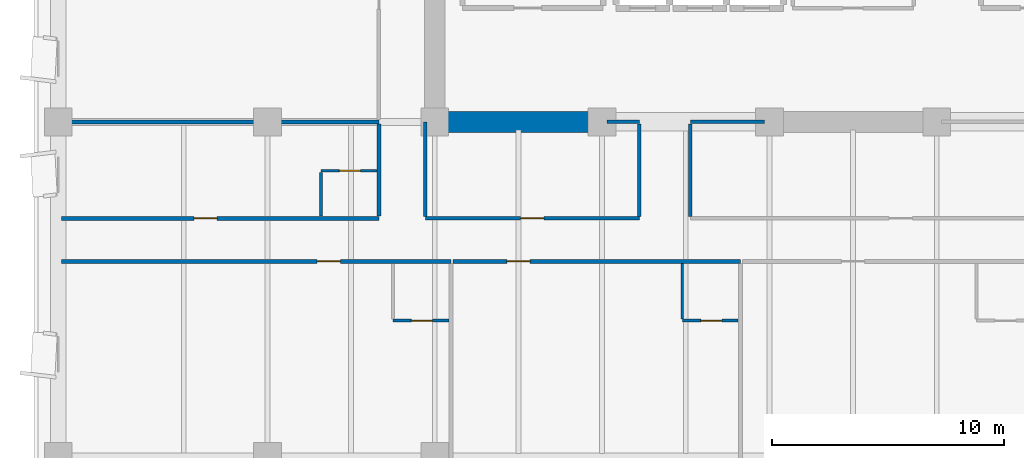
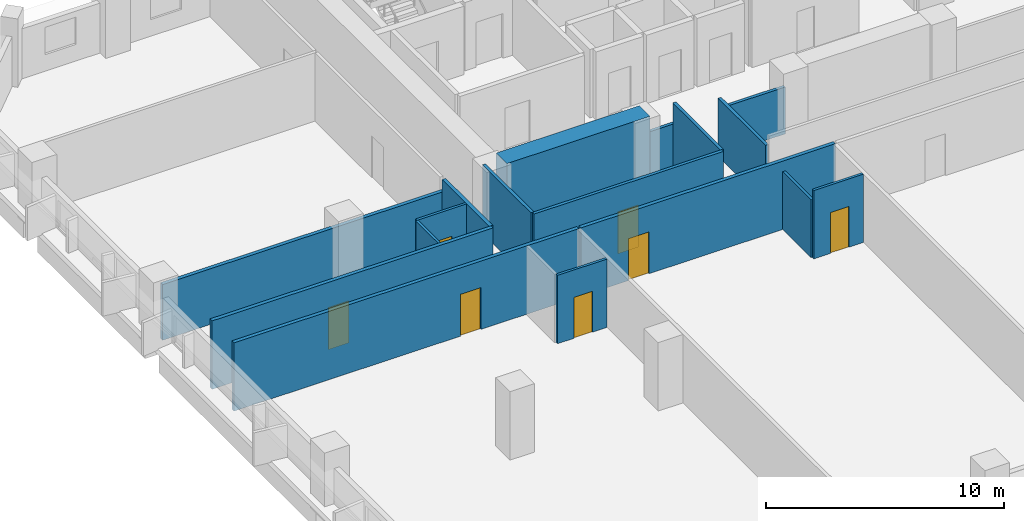
# One storey, part 4 of 15: 17 walls, 7 doors, 7 openings.
"""IFC4 building model written with IfcOpenShell, lengths in metres."""

from ifc_helpers import new_model, si_unit, direction, frame, frame_2d, origin, place, context, subcontext, project, spatial, rectangle, extrude, material, layer, layer_set, type_object, element, fill, save


model = new_model("IFC4")

# Units and contexts
model_context = context("Model", 3, precision=1e-05, world=origin(), true_north=direction((0.0, 1.0)))
body_context = subcontext(model_context, "Body", "Model", "MODEL_VIEW")
ifc_project = project(units=[si_unit("LENGTHUNIT", "METRE"), si_unit("AREAUNIT", "SQUARE_METRE"), si_unit("VOLUMEUNIT", "CUBIC_METRE"), si_unit("PLANEANGLEUNIT", "RADIAN"), si_unit("MASSUNIT", "GRAM", prefix="KILO")], contexts=[model_context])

# Site, building, storey
site_placement = place(None, origin())
site = spatial("IfcSite", under=ifc_project, at=site_placement, CompositionType="ELEMENT")
building_placement = place(site_placement, origin())
building = spatial("IfcBuilding", under=site, at=building_placement, Name="Kaelvorn Grand Hotel", CompositionType="ELEMENT")
storey_placement = place(building_placement, frame((0.0, 0.0, 108.050048828125)))
storey = spatial("IfcBuildingStorey", under=building, at=storey_placement, Name="L25", CompositionType="ELEMENT", Elevation=108.050048828125)

# Wall
ifc_material_1 = material(Name="Concrete C60/75", Category="concrete")
ifc_layer_1 = layer(ifc_material_1, 0.89990234375)
ifc_layer_set_1 = layer_set([ifc_layer_1], Name="Concrete C60/75")
wall_type_1 = type_object("IfcWallType", Name="WL-CORE-900-C60", PredefinedType="SHEAR", material=ifc_layer_set_1)
wall_1_placement = place(storey_placement, frame((16.655029296875, 29.39990234375, 0.0), z_axis=(0.0, 0.0, 1.0), x_axis=(1.0, 0.0, 0.0)))
element("IfcWall", 1, at=wall_1_placement, inside=storey, type_object=wall_type_1, Name="L25 Rear-Core Coupled Shear Pier S1", PredefinedType="SHEAR", context=body_context, shape_type="SweptSolid", body=[
    extrude(rectangle(XDim=6.945068359375, YDim=0.89990234375, at=frame_2d((3.47265625, 0.0))), origin(), (0.0, 0.0, 1.0), 3.510009765625),
])

# Wall, opening, door
ifc_material_2 = material(Name="Moisture-Resistant Tile & Stud Board")
ifc_layer_2 = layer(ifc_material_2, 0.125)
ifc_layer_set_2 = layer_set([ifc_layer_2], Name="Moisture-Resistant Tile & Stud Board")
wall_type_2 = type_object("IfcWallType", Name="WL-PART-125-WET", PredefinedType="PARTITIONING", material=ifc_layer_set_2)
wall_2_placement = place(storey_placement, frame((14.399658203125, 20.85009765625, 0.0), z_axis=(0.0, 0.0, 1.0), x_axis=(1.0, 0.0, 0.0)))
wall_2 = element("IfcWall", 2, at=wall_2_placement, inside=storey, type_object=wall_type_2, Name="L25 En-suite Bathroom L25-01 S Partition", PredefinedType="PARTITIONING", context=body_context, shape_type="SweptSolid", body=[
    extrude(rectangle(XDim=2.405029296875, YDim=0.125, at=frame_2d((1.20263671875, 0.0))), origin(), (0.0, 0.0, 1.0), 3.510009765625),
])
opening_1_placement = place(wall_2_placement, frame((0.800048828125, 0.0, 0.0)))
opening_1 = element("IfcOpeningElement", 3, at=opening_1_placement, cuts=wall_2, Name="Opening DI4", PredefinedType="OPENING", context=body_context, shape_type="SweptSolid", body=[
    extrude(rectangle(XDim=0.89990234375, YDim=2.10009765625, at=frame_2d((0.449951171875, 1.050048828125))), frame((0.0, 0.072509765625, 0.0), z_axis=(0.0, -1.0, 0.0), x_axis=(1.0, 0.0, 0.0)), (0.0, 0.0, 1.0), 0.14501953125),
])
ifc_material_3 = material(Name="Timber Veneer Leaf", Category="wood")
door_type_1 = type_object("IfcDoorType", Name="DR-INT-BATH-900x2100", OperationType="NOTDEFINED", PredefinedType="DOOR", material=ifc_material_3)
door_1_placement = place(opening_1_placement, origin())
door_1 = element("IfcDoor", 4, at=door_1_placement, inside=storey, type_object=door_type_1, Name="L25 En-suite Bathroom L25-01 Door", OperationType="SINGLE_SWING_LEFT", OverallHeight=2.10009765625, OverallWidth=0.89990234375, PredefinedType="DOOR", context=body_context, shape_type="SweptSolid", body=[
    extrude(rectangle(XDim=0.89990234375, YDim=2.10009765625, at=frame_2d((0.449951171875, 1.050048828125))), frame((0.0, 0.02490234375, 0.0), z_axis=(0.0, -1.0, 0.0), x_axis=(1.0, 0.0, 0.0)), (0.0, 0.0, 1.0), 0.050048828125),
])
fill(opening_1, door_1)

wall_3_placement = place(storey_placement, frame((26.849609375, 20.85009765625, 0.0), z_axis=(0.0, 0.0, 1.0), x_axis=(1.0, 0.0, 0.0)))
wall_3 = element("IfcWall", 5, at=wall_3_placement, inside=storey, type_object=wall_type_2, Name="L25 En-suite Bathroom L25-02 S Partition", PredefinedType="PARTITIONING", context=body_context, shape_type="SweptSolid", body=[
    extrude(rectangle(XDim=2.40478515625, YDim=0.125, at=frame_2d((1.202392578125, 0.0))), origin(), (0.0, 0.0, 1.0), 3.510009765625),
])
opening_2_placement = place(wall_3_placement, frame((0.800048828125, 0.0, 0.0)))
opening_2 = element("IfcOpeningElement", 6, at=opening_2_placement, cuts=wall_3, Name="Opening DI4", PredefinedType="OPENING", context=body_context, shape_type="SweptSolid", body=[
    extrude(rectangle(XDim=0.89990234375, YDim=2.10009765625, at=frame_2d((0.449951171875, 1.050048828125))), frame((0.0, 0.072509765625, 0.0), z_axis=(0.0, -1.0, 0.0), x_axis=(1.0, 0.0, 0.0)), (0.0, 0.0, 1.0), 0.14501953125),
])
door_2_placement = place(opening_2_placement, origin())
door_2 = element("IfcDoor", 7, at=door_2_placement, inside=storey, type_object=door_type_1, Name="L25 En-suite Bathroom L25-02 Door", OperationType="SINGLE_SWING_LEFT", OverallHeight=2.10009765625, OverallWidth=0.89990234375, PredefinedType="DOOR", context=body_context, shape_type="SweptSolid", body=[
    extrude(rectangle(XDim=0.89990234375, YDim=2.10009765625, at=frame_2d((0.449951171875, 1.050048828125))), frame((0.0, 0.02490234375, 0.0), z_axis=(0.0, -1.0, 0.0), x_axis=(1.0, 0.0, 0.0)), (0.0, 0.0, 1.0), 0.050048828125),
])
fill(opening_2, door_2)

# Wall
wall_4_placement = place(storey_placement, frame((26.849609375, 20.91748046875, 0.0), z_axis=(0.0, 0.0, 1.0), x_axis=(0.0, 1.0, 0.0)))
element("IfcWall", 8, at=wall_4_placement, inside=storey, type_object=wall_type_2, Name="L25 En-suite Bathroom L25-02 W Partition", PredefinedType="PARTITIONING", context=body_context, shape_type="SweptSolid", body=[
    extrude(rectangle(XDim=2.387451171875, YDim=0.125, at=frame_2d((1.19384765625, 0.0))), origin(), (0.0, 0.0, 1.0), 2.976806640625),
])

# Wall, opening, door
wall_5_placement = place(storey_placement, frame((11.300048828125, 27.300048828125, 0.0), z_axis=(0.0, 0.0, 1.0), x_axis=(1.0, 0.0, 0.0)))
wall_5 = element("IfcWall", 9, at=wall_5_placement, inside=storey, type_object=wall_type_2, Name="L25 En-suite Bathroom L25-07 N Partition", PredefinedType="PARTITIONING", context=body_context, shape_type="SweptSolid", body=[
    extrude(rectangle(XDim=2.405029296875, YDim=0.125, at=frame_2d((1.20263671875, 0.0))), origin(), (0.0, 0.0, 1.0), 3.510009765625),
])
opening_3_placement = place(wall_5_placement, frame((0.800048828125, 0.0, 0.0)))
opening_3 = element("IfcOpeningElement", 10, at=opening_3_placement, cuts=wall_5, Name="Opening DI4", PredefinedType="OPENING", context=body_context, shape_type="SweptSolid", body=[
    extrude(rectangle(XDim=0.89990234375, YDim=2.10009765625, at=frame_2d((0.449951171875, 1.050048828125))), frame((0.0, 0.072509765625, 0.0), z_axis=(0.0, -1.0, 0.0), x_axis=(1.0, 0.0, 0.0)), (0.0, 0.0, 1.0), 0.14501953125),
])
door_3_placement = place(opening_3_placement, origin())
door_3 = element("IfcDoor", 11, at=door_3_placement, inside=storey, type_object=door_type_1, Name="L25 En-suite Bathroom L25-07 Door", OperationType="SINGLE_SWING_LEFT", OverallHeight=2.10009765625, OverallWidth=0.89990234375, PredefinedType="DOOR", context=body_context, shape_type="SweptSolid", body=[
    extrude(rectangle(XDim=0.89990234375, YDim=2.10009765625, at=frame_2d((0.449951171875, 1.050048828125))), frame((0.0, 0.02490234375, 0.0), z_axis=(0.0, -1.0, 0.0), x_axis=(1.0, 0.0, 0.0)), (0.0, 0.0, 1.0), 0.050048828125),
])
fill(opening_3, door_3)

# Wall
wall_6_placement = place(storey_placement, frame((11.300048828125, 25.344970703125, 0.0), z_axis=(0.0, 0.0, 1.0), x_axis=(0.0, 1.0, 0.0)))
element("IfcWall", 12, at=wall_6_placement, inside=storey, type_object=wall_type_2, Name="L25 En-suite Bathroom L25-07 W Partition", PredefinedType="PARTITIONING", context=body_context, shape_type="SweptSolid", body=[
    extrude(rectangle(XDim=1.887451171875, YDim=0.125, at=frame_2d((0.94384765625, 0.0))), origin(), (0.0, 0.0, 1.0), 3.510009765625),
])

# Wall, opening, door
ifc_material_4 = material(Name="Acoustic Gypsum & Stud Partition")
ifc_layer_3 = layer(ifc_material_4, 0.14990234375)
ifc_layer_set_3 = layer_set([ifc_layer_3], Name="Acoustic Gypsum & Stud Partition")
wall_type_3 = type_object("IfcWallType", Name="WL-PART-150-EI60", PredefinedType="PARTITIONING", material=ifc_layer_set_3)
wall_7_placement = place(storey_placement, frame((15.800048828125, 25.25, 0.0), z_axis=(0.0, 0.0, 1.0), x_axis=(1.0, 0.0, 0.0)))
wall_7 = element("IfcWall", 13, at=wall_7_placement, inside=storey, type_object=wall_type_3, Name="L25 Botanical Conservatory Salon S Partition", PredefinedType="PARTITIONING", context=body_context, shape_type="SweptSolid", body=[
    extrude(rectangle(XDim=9.199951171875, YDim=0.14990234375, at=frame_2d((4.60009765625, 0.0))), origin(), (0.0, 0.0, 1.0), 3.510009765625),
])
opening_4_placement = place(wall_7_placement, frame((4.10009765625, 0.0, 0.0)))
opening_4 = element("IfcOpeningElement", 14, at=opening_4_placement, cuts=wall_7, Name="Opening DI3", PredefinedType="OPENING", context=body_context, shape_type="SweptSolid", body=[
    extrude(rectangle(XDim=1.0, YDim=2.14990234375, at=frame_2d((0.5, 1.074951171875))), frame((0.0, 0.0849609375, 0.0), z_axis=(0.0, -1.0, 0.0), x_axis=(1.0, 0.0, 0.0)), (0.0, 0.0, 1.0), 0.169921875),
])
ifc_material_5 = material(Name="Timber Veneer Fire Leaf", Category="wood")
door_type_2 = type_object("IfcDoorType", Name="DR-INT-GUEST-1000x2150", OperationType="NOTDEFINED", PredefinedType="DOOR", material=ifc_material_5)
door_4_placement = place(opening_4_placement, origin())
door_4 = element("IfcDoor", 15, at=door_4_placement, inside=storey, type_object=door_type_2, Name="L25 Botanical Conservatory Salon Door", OperationType="SINGLE_SWING_RIGHT", OverallHeight=2.14990234375, OverallWidth=1.0, PredefinedType="DOOR", context=body_context, shape_type="SweptSolid", body=[
    extrude(rectangle(XDim=1.0, YDim=2.14990234375, at=frame_2d((0.5, 1.074951171875))), frame((0.0, 0.02490234375, 0.0), z_axis=(0.0, -1.0, 0.0), x_axis=(1.0, 0.0, 0.0)), (0.0, 0.0, 1.0), 0.050048828125),
])
fill(opening_4, door_4)

# Walls
wall_8_placement = place(storey_placement, frame((23.610107421875, 29.39990234375, 0.0), z_axis=(0.0, 0.0, 1.0), x_axis=(1.0, 0.0, 0.0)))
element("IfcWall", 16, at=wall_8_placement, inside=storey, type_object=wall_type_3, Name="L25 Botanical Conservatory Salon N Partition", PredefinedType="PARTITIONING", context=body_context, shape_type="SweptSolid", body=[
    extrude(rectangle(XDim=1.389892578125, YDim=0.14990234375, at=frame_2d((0.69482421875, 0.0))), origin(), (0.0, 0.0, 1.0), 2.409912109375),
])
wall_9_placement = place(storey_placement, frame((15.800048828125, 25.330078125, 0.0), z_axis=(0.0, 0.0, 1.0), x_axis=(0.0, 1.0, 0.0)))
element("IfcWall", 17, at=wall_9_placement, inside=storey, type_object=wall_type_3, Name="L25 Botanical Conservatory Salon W Partition", PredefinedType="PARTITIONING", context=body_context, shape_type="SweptSolid", body=[
    extrude(rectangle(XDim=4.059814453125, YDim=0.14990234375, at=frame_2d((2.02978515625, 0.0))), origin(), (0.0, 0.0, 1.0), 3.510009765625),
])
wall_10_placement = place(storey_placement, frame((25.0, 25.330078125, 0.0), z_axis=(0.0, 0.0, 1.0), x_axis=(0.0, 1.0, 0.0)))
element("IfcWall", 18, at=wall_10_placement, inside=storey, type_object=wall_type_3, Name="L25 Botanical Conservatory Salon E Partition", PredefinedType="PARTITIONING", context=body_context, shape_type="SweptSolid", body=[
    extrude(rectangle(XDim=3.989990234375, YDim=0.14990234375, at=frame_2d((1.9951171875, 0.0))), origin(), (0.0, 0.0, 1.0), 3.510009765625),
])
wall_11_placement = place(storey_placement, frame((27.199951171875, 29.39990234375, 0.0), z_axis=(0.0, 0.0, 1.0), x_axis=(1.0, 0.0, 0.0)))
element("IfcWall", 19, at=wall_11_placement, inside=storey, type_object=wall_type_3, Name="L25 Catering Servery Kitchen N Partition (1)", PredefinedType="PARTITIONING", context=body_context, shape_type="SweptSolid", body=[
    extrude(rectangle(XDim=3.18994140625, YDim=0.14990234375, at=frame_2d((1.594970703125, 0.0))), origin(), (0.0, 0.0, 1.0), 2.409912109375),
])
wall_12_placement = place(storey_placement, frame((27.199951171875, 25.330078125, 0.0), z_axis=(0.0, 0.0, 1.0), x_axis=(0.0, 1.0, 0.0)))
element("IfcWall", 20, at=wall_12_placement, inside=storey, type_object=wall_type_3, Name="L25 Catering Servery Kitchen W Partition", PredefinedType="PARTITIONING", context=body_context, shape_type="SweptSolid", body=[
    extrude(rectangle(XDim=3.989990234375, YDim=0.14990234375, at=frame_2d((1.9951171875, 0.0))), origin(), (0.0, 0.0, 1.0), 2.976806640625),
])

# Wall, opening, door
ifc_layer_4 = layer(ifc_material_4, 0.179931640625)
ifc_layer_set_4 = layer_set([ifc_layer_4], Name="Acoustic Gypsum & Stud Partition")
wall_type_4 = type_object("IfcWallType", Name="WL-PART-180-EI60", PredefinedType="PARTITIONING", material=ifc_layer_set_4)
wall_13_placement = place(storey_placement, frame((0.14990234375, 23.39990234375, 0.0), z_axis=(0.0, 0.0, 1.0), x_axis=(1.0, 0.0, 0.0)))
wall_13 = element("IfcWall", 21, at=wall_13_placement, inside=storey, type_object=wall_type_4, Name="L25 Presidential Sky Suite L25-01 N Partition", PredefinedType="PARTITIONING", context=body_context, shape_type="SweptSolid", body=[
    extrude(rectangle(XDim=16.749755859375, YDim=0.179931640625, at=frame_2d((8.375, 0.0))), origin(), (0.0, 0.0, 1.0), 3.510009765625),
])
opening_5_placement = place(wall_13_placement, frame((10.98974609375, 0.0, 0.0)))
opening_5 = element("IfcOpeningElement", 22, at=opening_5_placement, cuts=wall_13, Name="Opening DI3", PredefinedType="OPENING", context=body_context, shape_type="SweptSolid", body=[
    extrude(rectangle(XDim=1.0, YDim=2.14990234375, at=frame_2d((0.5, 1.074951171875))), frame((0.0, 0.10009765625, 0.0), z_axis=(0.0, -1.0, 0.0), x_axis=(1.0, 0.0, 0.0)), (0.0, 0.0, 1.0), 0.199951171875),
])
door_5_placement = place(opening_5_placement, origin())
door_5 = element("IfcDoor", 23, at=door_5_placement, inside=storey, type_object=door_type_2, Name="L25 Presidential Sky Suite L25-01 Door", OperationType="SINGLE_SWING_RIGHT", OverallHeight=2.14990234375, OverallWidth=1.0, PredefinedType="DOOR", context=body_context, shape_type="SweptSolid", body=[
    extrude(rectangle(XDim=1.0, YDim=2.14990234375, at=frame_2d((0.5, 1.074951171875))), frame((0.0, 0.02490234375, 0.0), z_axis=(0.0, -1.0, 0.0), x_axis=(1.0, 0.0, 0.0)), (0.0, 0.0, 1.0), 0.050048828125),
])
fill(opening_5, door_5)

wall_14_placement = place(storey_placement, frame((16.99462890625, 23.39990234375, 0.0), z_axis=(0.0, 0.0, 1.0), x_axis=(1.0, 0.0, 0.0)))
wall_14 = element("IfcWall", 24, at=wall_14_placement, inside=storey, type_object=wall_type_4, Name="L25 Presidential Sky Suite L25-02 N Partition", PredefinedType="PARTITIONING", context=body_context, shape_type="SweptSolid", body=[
    extrude(rectangle(XDim=12.35498046875, YDim=0.179931640625, at=frame_2d((6.177490234375, 0.0))), origin(), (0.0, 0.0, 1.0), 3.510009765625),
])
opening_6_placement = place(wall_14_placement, frame((2.305419921875, 0.0, 0.0)))
opening_6 = element("IfcOpeningElement", 25, at=opening_6_placement, cuts=wall_14, Name="Opening DI3", PredefinedType="OPENING", context=body_context, shape_type="SweptSolid", body=[
    extrude(rectangle(XDim=1.0, YDim=2.14990234375, at=frame_2d((0.5, 1.074951171875))), frame((0.0, 0.10009765625, 0.0), z_axis=(0.0, -1.0, 0.0), x_axis=(1.0, 0.0, 0.0)), (0.0, 0.0, 1.0), 0.199951171875),
])
door_6_placement = place(opening_6_placement, origin())
door_6 = element("IfcDoor", 26, at=door_6_placement, inside=storey, type_object=door_type_2, Name="L25 Presidential Sky Suite L25-02 Door", OperationType="SINGLE_SWING_RIGHT", OverallHeight=2.14990234375, OverallWidth=1.0, PredefinedType="DOOR", context=body_context, shape_type="SweptSolid", body=[
    extrude(rectangle(XDim=1.0, YDim=2.14990234375, at=frame_2d((0.5, 1.074951171875))), frame((0.0, 0.02490234375, 0.0), z_axis=(0.0, -1.0, 0.0), x_axis=(1.0, 0.0, 0.0)), (0.0, 0.0, 1.0), 0.050048828125),
])
fill(opening_6, door_6)

wall_15_placement = place(storey_placement, frame((0.14990234375, 25.25, 0.0), z_axis=(0.0, 0.0, 1.0), x_axis=(1.0, 0.0, 0.0)))
wall_15 = element("IfcWall", 27, at=wall_15_placement, inside=storey, type_object=wall_type_4, Name="L25 West Chamfer Corner Suite L25-07 S Partition", PredefinedType="PARTITIONING", context=body_context, shape_type="SweptSolid", body=[
    extrude(rectangle(XDim=13.650146484375, YDim=0.179931640625, at=frame_2d((6.8251953125, 0.0))), origin(), (0.0, 0.0, 1.0), 3.510009765625),
])
opening_7_placement = place(wall_15_placement, frame((5.68505859375, 0.0, 0.0)))
opening_7 = element("IfcOpeningElement", 28, at=opening_7_placement, cuts=wall_15, Name="Opening DI3", PredefinedType="OPENING", context=body_context, shape_type="SweptSolid", body=[
    extrude(rectangle(XDim=1.0, YDim=2.14990234375, at=frame_2d((0.5, 1.074951171875))), frame((0.0, 0.10009765625, 0.0), z_axis=(0.0, -1.0, 0.0), x_axis=(1.0, 0.0, 0.0)), (0.0, 0.0, 1.0), 0.199951171875),
])
door_7_placement = place(opening_7_placement, origin())
door_7 = element("IfcDoor", 29, at=door_7_placement, inside=storey, type_object=door_type_2, Name="L25 West Chamfer Corner Suite L25-07 Door", OperationType="SINGLE_SWING_RIGHT", OverallHeight=2.14990234375, OverallWidth=1.0, PredefinedType="DOOR", context=body_context, shape_type="SweptSolid", body=[
    extrude(rectangle(XDim=1.0, YDim=2.14990234375, at=frame_2d((0.5, 1.074951171875))), frame((0.0, 0.02490234375, 0.0), z_axis=(0.0, -1.0, 0.0), x_axis=(1.0, 0.0, 0.0)), (0.0, 0.0, 1.0), 0.050048828125),
])
fill(opening_7, door_7)

# Walls
wall_16_placement = place(storey_placement, frame((0.14990234375, 29.39990234375, 0.0), z_axis=(0.0, 0.0, 1.0), x_axis=(1.0, 0.0, 0.0)))
element("IfcWall", 30, at=wall_16_placement, inside=storey, type_object=wall_type_4, Name="L25 West Chamfer Corner Suite L25-07 N Partition", PredefinedType="PARTITIONING", context=body_context, shape_type="SweptSolid", body=[
    extrude(rectangle(XDim=13.650146484375, YDim=0.179931640625, at=frame_2d((6.8251953125, 0.0))), origin(), (0.0, 0.0, 1.0), 2.85986328125),
])
wall_17_placement = place(storey_placement, frame((13.800048828125, 25.344970703125, 0.0), z_axis=(0.0, 0.0, 1.0), x_axis=(0.0, 1.0, 0.0)))
element("IfcWall", 31, at=wall_17_placement, inside=storey, type_object=wall_type_4, Name="L25 West Chamfer Corner Suite L25-07 E Partition", PredefinedType="PARTITIONING", context=body_context, shape_type="SweptSolid", body=[
    extrude(rectangle(XDim=3.9599609375, YDim=0.179931640625, at=frame_2d((1.97998046875, 0.0))), origin(), (0.0, 0.0, 1.0), 3.510009765625),
])

save(model, "model.ifc")
